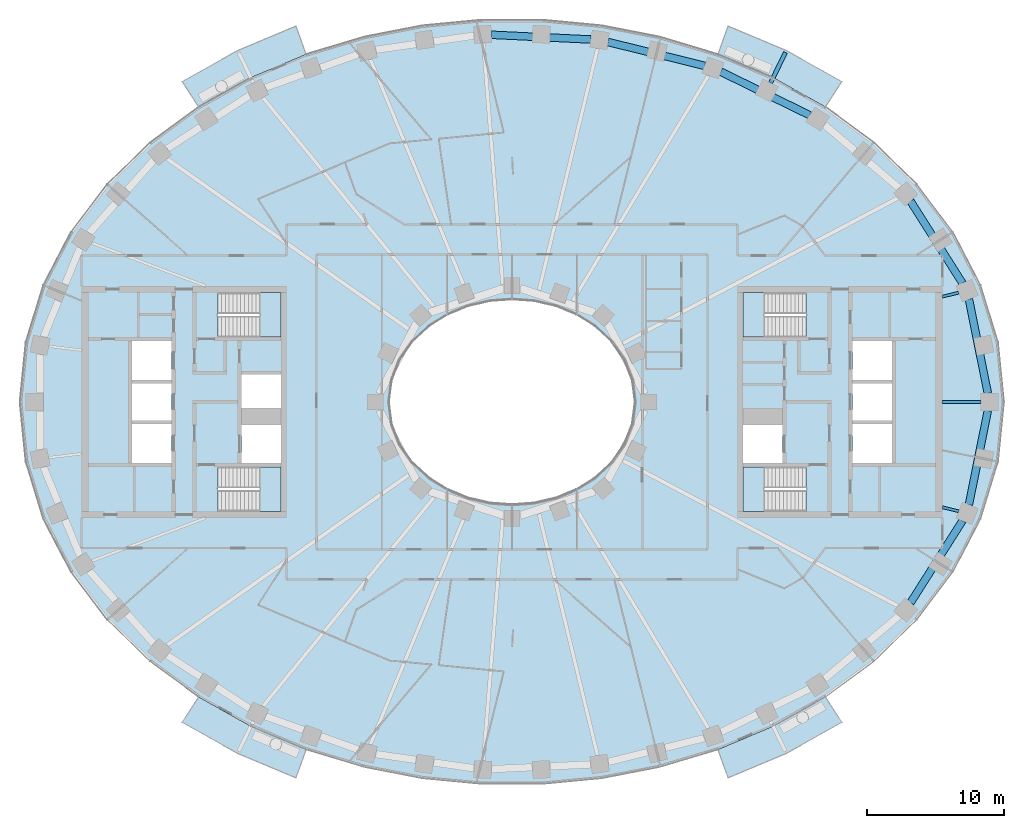
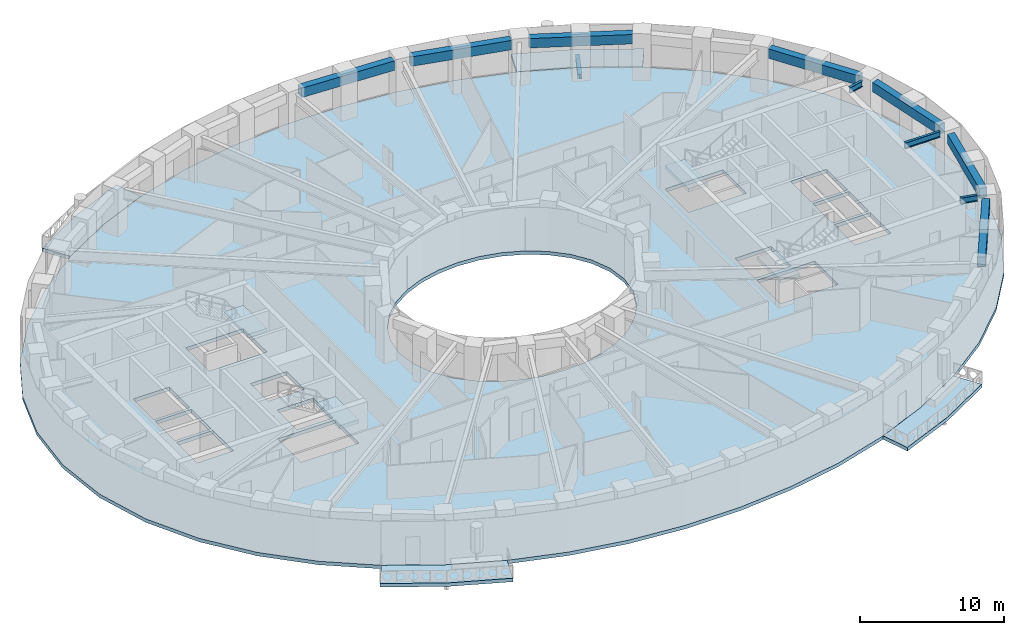
# One storey, part 2 of 15: 11 beams, 9 slabs, 4 elements without a shape of their own.
"""IFC4 building model written with IfcOpenShell, lengths in metres."""

from ifc_helpers import new_model, si_unit, direction, frame, origin, origin_2d, place, context, subcontext, project, spatial, polyline, rectangle, i_section, outline, extrude, material, layer, layer_set, material_profile, profile_set, type_object, element, aggregate, save


model = new_model("IFC4")

# Units and contexts
model_context = context("Model", 3, precision=1e-05, world=origin(), true_north=direction((0.0, 1.0)))
body_context = subcontext(model_context, "Body", "Model", "MODEL_VIEW")
ifc_project = project(units=[si_unit("LENGTHUNIT", "METRE"), si_unit("AREAUNIT", "SQUARE_METRE"), si_unit("VOLUMEUNIT", "CUBIC_METRE"), si_unit("PLANEANGLEUNIT", "RADIAN"), si_unit("MASSUNIT", "GRAM", prefix="KILO")], contexts=[model_context])

# Site, building, storey
site_placement = place(None, origin())
site = spatial("IfcSite", under=ifc_project, at=site_placement, CompositionType="ELEMENT")
building_placement = place(site_placement, origin())
building = spatial("IfcBuilding", under=site, at=building_placement, Name="Noorbagh Ring Tower", CompositionType="ELEMENT")
storey_placement = place(building_placement, frame((0.0, 0.0, 92.0)))
storey = spatial("IfcBuildingStorey", under=building, at=storey_placement, Name="L20", CompositionType="ELEMENT", Elevation=92.0)

# Beams
ifc_material_1 = material(Name="Steel S355", Category="steel")
ifc_material_profile_1 = material_profile(ifc_material_1, i_section(OverallWidth=0.300048828125, OverallDepth=0.39990234375, WebThickness=0.013427734375, FlangeThickness=0.02392578125, FilletRadius=0.027099609375, at=origin_2d()), Name="HEB400")
ifc_profile_set_1 = profile_set([ifc_material_profile_1], Name="Steel S355")
beam_type_1 = type_object("IfcBeamType", Name="STR-BALCONY-BRACKET-HEB400", PredefinedType="BEAM", material=ifc_profile_set_1)
beam_1_placement = place(storey_placement, frame((18.923095703125, 23.351318359375, -0.5), z_axis=(0.439226053648, 0.89837657683, 0.0), x_axis=(-0.89837657683, 0.439226053648, 0.0)))
element("IfcBeam", 1, at=beam_1_placement, inside=storey, type_object=beam_type_1, Name="Balcony bracket beam BN02", PredefinedType="BEAM", context=body_context, shape_type="SweptSolid", body=[
    extrude(i_section(OverallWidth=0.300048828125, OverallDepth=0.39990234375, WebThickness=0.013427734375, FlangeThickness=0.02392578125, FilletRadius=0.027099609375, at=origin_2d()), origin(), (0.0, 0.0, 1.0), 2.47509765625),
])
ifc_material_2 = material(Name="Steel S355", Category="steel")
ifc_material_profile_2 = material_profile(ifc_material_2, i_section(OverallWidth=0.199951171875, OverallDepth=0.5, WebThickness=0.01025390625, FlangeThickness=0.01611328125, FilletRadius=0.02099609375, at=origin_2d()), Name="IPE500")
ifc_profile_set_2 = profile_set([ifc_material_profile_2], Name="Steel S355")
beam_type_2 = type_object("IfcBeamType", Name="STR-RAD-IPE500", PredefinedType="BEAM", material=ifc_profile_set_2)
beam_2_placement = place(storey_placement, frame((34.314697265625, 0.0, 3.449951171875), z_axis=(-1.0, 0.0, 0.0), x_axis=(0.0, -1.0, 0.0)))
element("IfcBeam", 2, at=beam_2_placement, inside=storey, type_object=beam_type_2, Name="L20/bm/RD01", PredefinedType="BEAM", context=body_context, shape_type="SweptSolid", body=[
    extrude(i_section(OverallWidth=0.199951171875, OverallDepth=0.5, WebThickness=0.01025390625, FlangeThickness=0.01611328125, FilletRadius=0.02099609375, at=origin_2d()), origin(), (0.0, 0.0, 1.0), 2.834716796875),
])
for number, where, z_axis, x_axis, name in (
    (3, (32.686279296875, 7.997802734375, 3.449951171875), (-0.971367746696, -0.237580935009, 0.0), (0.237580935009, -0.971367746696, 0.0), "L20/bm/RD03"),
    (4, (32.686279296875, -7.997802734375, 3.449951171875), (-0.971367746696, 0.237580935009, 0.0), (-0.237580935009, -0.971367746696, 0.0), "L20/bm/RD45"),
):
    element("IfcBeam", number, at=place(storey_placement, frame(where, z_axis=z_axis, x_axis=x_axis)), inside=storey, type_object=beam_type_2, Name=name, PredefinedType="BEAM", context=body_context, shape_type="SweptSolid", body=[
        extrude(i_section(OverallWidth=0.199951171875, OverallDepth=0.5, WebThickness=0.01025390625, FlangeThickness=0.01611328125, FilletRadius=0.02099609375, at=origin_2d()), origin(), (0.0, 0.0, 1.0), 1.241455078125),
    ])
ifc_material_3 = material(Name="Concrete C40/50", Category="concrete")
ifc_material_profile_3 = material_profile(ifc_material_3, rectangle(XDim=0.550048828125, YDim=0.800048828125, at=origin_2d()), Name="RC550x800")
ifc_profile_set_3 = profile_set([ifc_material_profile_3], Name="Concrete C40/50")
beam_type_3 = type_object("IfcBeamType", Name="STR-SB-RC550x800-C40-50", PredefinedType="BEAM", material=ifc_profile_set_3)
beam_3_placement = place(storey_placement, frame((34.81787109375, 0.63037109375, 3.300048828125), z_axis=(-0.197218334535, 0.980359591437, 0.0), x_axis=(-0.980359591437, -0.197218334535, 0.0)))
element("IfcBeam", 5, at=beam_3_placement, inside=storey, type_object=beam_type_3, Name="L20/bm/SP01", PredefinedType="BEAM", context=body_context, shape_type="SweptSolid", body=[
    extrude(rectangle(XDim=0.550048828125, YDim=0.800048828125, at=origin_2d()), origin(), (0.0, 0.0, 1.0), 7.027587890625),
])
beam_4_placement = place(storey_placement, frame((32.962646484375, 8.690185546875, 3.300048828125), z_axis=(-0.535215588854, 0.844715498525, 0.0), x_axis=(-0.844715498525, -0.535215588854, 0.0)))
element("IfcBeam", 6, at=beam_4_placement, inside=storey, type_object=beam_type_3, Name="L20/bm/SP03", PredefinedType="BEAM", context=body_context, shape_type="SweptSolid", body=[
    extrude(rectangle(XDim=0.550048828125, YDim=0.800048828125, at=origin_2d()), origin(), (0.0, 0.0, 1.0), 7.104248046875),
])
beam_5_placement = place(storey_placement, frame((21.7919921875, 20.978759765625, 3.300048828125), z_axis=(-0.898412117145, 0.43915335336, 0.0), x_axis=(-0.43915335336, -0.898412117145, 0.0)))
element("IfcBeam", 7, at=beam_5_placement, inside=storey, type_object=beam_type_3, Name="L20/bm/SP07", PredefinedType="BEAM", context=body_context, shape_type="SweptSolid", body=[
    extrude(rectangle(XDim=0.550048828125, YDim=0.800048828125, at=origin_2d()), origin(), (0.0, 0.0, 1.0), 7.249267578125),
])
beam_6_placement = place(storey_placement, frame((14.094482421875, 24.5927734375, 3.300048828125), z_axis=(-0.970826778955, 0.239781911877, 0.0), x_axis=(-0.239781911877, -0.970826778955, 0.0)))
element("IfcBeam", 8, at=beam_6_placement, inside=storey, type_object=beam_type_3, Name="L20/bm/SP09", PredefinedType="BEAM", context=body_context, shape_type="SweptSolid", body=[
    extrude(rectangle(XDim=0.550048828125, YDim=0.800048828125, at=origin_2d()), origin(), (0.0, 0.0, 1.0), 7.282958984375),
])
beam_7_placement = place(storey_placement, frame((5.77685546875, 26.52099609375, 3.300048828125), z_axis=(-0.998868894653, 0.047549251258, 0.0), x_axis=(-0.047549251258, -0.998868894653, 0.0)))
element("IfcBeam", 9, at=beam_7_placement, inside=storey, type_object=beam_type_3, Name="L20/bm/SP11", PredefinedType="BEAM", context=body_context, shape_type="SweptSolid", body=[
    extrude(rectangle(XDim=0.550048828125, YDim=0.800048828125, at=origin_2d()), origin(), (0.0, 0.0, 1.0), 7.296142578125),
])
beam_8_placement = place(storey_placement, frame((29.160400390625, -14.691162109375, 3.300048828125), z_axis=(0.535215588854, 0.844715498525, 0.0), x_axis=(-0.844715498525, 0.535215588854, 0.0)))
element("IfcBeam", 10, at=beam_8_placement, inside=storey, type_object=beam_type_3, Name="L20/bm/SP43", PredefinedType="BEAM", context=body_context, shape_type="SweptSolid", body=[
    extrude(rectangle(XDim=0.550048828125, YDim=0.800048828125, at=origin_2d()), origin(), (0.0, 0.0, 1.0), 7.104248046875),
])
beam_9_placement = place(storey_placement, frame((33.431884765625, -7.52001953125, 3.300048828125), z_axis=(0.197218334535, 0.980359591437, 0.0), x_axis=(-0.980359591437, 0.197218334535, 0.0)))
element("IfcBeam", 11, at=beam_9_placement, inside=storey, type_object=beam_type_3, Name="L20/bm/SP45", PredefinedType="BEAM", context=body_context, shape_type="SweptSolid", body=[
    extrude(rectangle(XDim=0.550048828125, YDim=0.800048828125, at=origin_2d()), origin(), (0.0, 0.0, 1.0), 7.027587890625),
])

# Stair, slab
ifc_material_4 = material(Name="Concrete C40/50", Category="concrete")
stair_type = type_object("IfcStairType", Name="CORE-STAIR", PredefinedType="HALF_TURN_STAIR", material=ifc_material_4)
stair_1_placement = place(storey_placement, origin())
stair_1 = element("IfcStair", 12, at=stair_1_placement, inside=storey, type_object=stair_type, Name="L20 Exit stair ST1", PredefinedType="HALF_TURN_STAIR")
ifc_material_5 = material(Name="Concrete C40/50", Category="concrete")
ifc_layer_1 = layer(ifc_material_5, 0.300048828125)
ifc_layer_set_1 = layer_set([ifc_layer_1], Name="Concrete C40/50")
slab_type_1 = type_object("IfcSlabType", Name="CORE-STAIR-LANDING", PredefinedType="LANDING", material=ifc_layer_set_1)
slab_1_placement = place(storey_placement, frame((0.0, 0.0, 1.699951171875)))
slab_1 = element("IfcSlab", 13, at=slab_1_placement, type_object=slab_type_1, Name="ST1 landing 1", PredefinedType="LANDING", context=body_context, shape_type="SweptSolid", body=[
    extrude(outline(polyline([(-18.449951171875, 4.75), (-16.89990234375, 4.75), (-16.89990234375, 8.0), (-18.449951171875, 8.0), (-18.449951171875, 4.75)])), origin(), (0.0, 0.0, 1.0), 0.300048828125),
])
aggregate(stair_1, [slab_1])

stair_2_placement = place(storey_placement, origin())
stair_2 = element("IfcStair", 14, at=stair_2_placement, inside=storey, type_object=stair_type, Name="L20 Exit stair ST2", PredefinedType="HALF_TURN_STAIR")
slab_2_placement = place(storey_placement, frame((0.0, 0.0, 1.699951171875)))
slab_2 = element("IfcSlab", 15, at=slab_2_placement, type_object=slab_type_1, Name="ST2 landing 1", PredefinedType="LANDING", context=body_context, shape_type="SweptSolid", body=[
    extrude(outline(polyline([(-18.449951171875, -8.0), (-16.89990234375, -8.0), (-16.89990234375, -4.75), (-18.449951171875, -4.75), (-18.449951171875, -8.0)])), origin(), (0.0, 0.0, 1.0), 0.300048828125),
])
aggregate(stair_2, [slab_2])

stair_3_placement = place(storey_placement, origin())
stair_3 = element("IfcStair", 16, at=stair_3_placement, inside=storey, type_object=stair_type, Name="L20 Exit stair ST3", PredefinedType="HALF_TURN_STAIR")
slab_3_placement = place(storey_placement, frame((0.0, 0.0, 1.699951171875)))
slab_3 = element("IfcSlab", 17, at=slab_3_placement, type_object=slab_type_1, Name="ST3 landing 1", PredefinedType="LANDING", context=body_context, shape_type="SweptSolid", body=[
    extrude(outline(polyline([(18.449951171875, 8.0), (16.89990234375, 8.0), (16.89990234375, 4.75), (18.449951171875, 4.75), (18.449951171875, 8.0)])), origin(), (0.0, 0.0, 1.0), 0.300048828125),
])
aggregate(stair_3, [slab_3])

stair_4_placement = place(storey_placement, origin())
stair_4 = element("IfcStair", 18, at=stair_4_placement, inside=storey, type_object=stair_type, Name="L20 Exit stair ST4", PredefinedType="HALF_TURN_STAIR")
slab_4_placement = place(storey_placement, frame((0.0, 0.0, 1.699951171875)))
slab_4 = element("IfcSlab", 19, at=slab_4_placement, type_object=slab_type_1, Name="ST4 landing 1", PredefinedType="LANDING", context=body_context, shape_type="SweptSolid", body=[
    extrude(outline(polyline([(18.449951171875, -4.75), (16.89990234375, -4.75), (16.89990234375, -8.0), (18.449951171875, -8.0), (18.449951171875, -4.75)])), origin(), (0.0, 0.0, 1.0), 0.300048828125),
])
aggregate(stair_4, [slab_4])

# Slabs
ifc_material_6 = material(Name="Concrete C40/50", Category="concrete")
ifc_layer_2 = layer(ifc_material_6, 0.300048828125)
ifc_layer_set_2 = layer_set([ifc_layer_2], Name="Concrete C40/50")
slab_type_2 = type_object("IfcSlabType", Name="ENV-BALCONY DECK 300", PredefinedType="FLOOR", material=ifc_layer_set_2)
slab_5_placement = place(storey_placement, frame((0.0, 0.0, -0.300048828125)))
element("IfcSlab", 20, at=slab_5_placement, inside=storey, type_object=slab_type_2, Name="Tree balcony deck BN02", PredefinedType="FLOOR", context=body_context, shape_type="SweptSolid", body=[
    extrude(outline(polyline([(24.1279296875, 23.435791015625), (20.076171875, 25.709716796875), (15.810791015625, 27.50341796875), (15.0654296875, 25.430419921875), (19.108154296875, 23.730224609375), (22.9326171875, 21.583740234375), (24.1279296875, 23.435791015625)])), origin(), (0.0, 0.0, 1.0), 0.300048828125),
])
slab_6_placement = place(storey_placement, frame((0.0, 0.0, -0.300048828125)))
element("IfcSlab", 21, at=slab_6_placement, inside=storey, type_object=slab_type_2, Name="Tree balcony deck BN05", PredefinedType="FLOOR", context=body_context, shape_type="SweptSolid", body=[
    extrude(outline(polyline([(-15.810791015625, 27.50341796875), (-20.076171875, 25.709716796875), (-24.1279296875, 23.435791015625), (-22.9326171875, 21.583740234375), (-19.108154296875, 23.730224609375), (-15.0654296875, 25.430419921875), (-15.810791015625, 27.50341796875)])), origin(), (0.0, 0.0, 1.0), 0.300048828125),
])
slab_7_placement = place(storey_placement, frame((0.0, 0.0, -0.300048828125)))
element("IfcSlab", 22, at=slab_7_placement, inside=storey, type_object=slab_type_2, Name="Tree balcony deck BS02", PredefinedType="FLOOR", context=body_context, shape_type="SweptSolid", body=[
    extrude(outline(polyline([(-24.1279296875, -23.435791015625), (-20.076171875, -25.709716796875), (-15.810791015625, -27.50341796875), (-15.0654296875, -25.430419921875), (-19.108154296875, -23.730224609375), (-22.9326171875, -21.583740234375), (-24.1279296875, -23.435791015625)])), origin(), (0.0, 0.0, 1.0), 0.300048828125),
])
slab_8_placement = place(storey_placement, frame((0.0, 0.0, -0.300048828125)))
element("IfcSlab", 23, at=slab_8_placement, inside=storey, type_object=slab_type_2, Name="Tree balcony deck BS05", PredefinedType="FLOOR", context=body_context, shape_type="SweptSolid", body=[
    extrude(outline(polyline([(15.810791015625, -27.50341796875), (20.076171875, -25.709716796875), (24.1279296875, -23.435791015625), (22.9326171875, -21.583740234375), (19.108154296875, -23.730224609375), (15.0654296875, -25.430419921875), (15.810791015625, -27.50341796875)])), origin(), (0.0, 0.0, 1.0), 0.300048828125),
])
ifc_material_7 = material(Name="Concrete C40/50", Category="concrete")
ifc_layer_3 = layer(ifc_material_7, 0.300048828125)
ifc_layer_set_3 = layer_set([ifc_layer_3], Name="Concrete C40/50")
slab_type_3 = type_object("IfcSlabType", Name="STR-FLOOR-DECK-300", PredefinedType="FLOOR", material=ifc_layer_set_3)
slab_9_placement = place(storey_placement, frame((0.0, 0.0, -0.300048828125)))
element("IfcSlab", 24, at=slab_9_placement, inside=storey, type_object=slab_type_3, Name="L20/slab/1", PredefinedType="FLOOR", context=body_context, shape_type="SweptSolid", body=[
    extrude(outline(polyline([(36.0, 0.0), (35.56103515625, 4.358642578125), (34.281005859375, 8.548828125), (32.255126953125, 12.434814453125), (29.607666015625, 15.92822265625), (26.463134765625, 18.983154296875), (22.9326171875, 21.583740234375), (19.108154296875, 23.730224609375), (15.0654296875, 25.430419921875), (10.865234375, 26.6943359375), (6.5595703125, 27.53125), (2.193115234375, 27.947998046875), (-2.193115234375, 27.947998046875), (-6.5595703125, 27.53125), (-10.865234375, 26.6943359375), (-15.0654296875, 25.430419921875), (-19.108154296875, 23.730224609375), (-22.9326171875, 21.583740234375), (-26.463134765625, 18.983154296875), (-29.607666015625, 15.92822265625), (-32.255126953125, 12.434814453125), (-34.281005859375, 8.548828125), (-35.56103515625, 4.358642578125), (-36.0, 0.0), (-35.56103515625, -4.358642578125), (-34.281005859375, -8.548828125), (-32.255126953125, -12.434814453125), (-29.607666015625, -15.92822265625), (-26.463134765625, -18.983154296875), (-22.9326171875, -21.583740234375), (-19.108154296875, -23.730224609375), (-15.0654296875, -25.430419921875), (-10.865234375, -26.6943359375), (-6.5595703125, -27.53125), (-2.193115234375, -27.947998046875), (2.193115234375, -27.947998046875), (6.5595703125, -27.53125), (10.865234375, -26.6943359375), (15.0654296875, -25.430419921875), (19.108154296875, -23.730224609375), (22.9326171875, -21.583740234375), (26.463134765625, -18.983154296875), (29.607666015625, -15.92822265625), (32.255126953125, -12.434814453125), (34.281005859375, -8.548828125), (35.56103515625, -4.358642578125), (36.0, 0.0)]), holes=[polyline([(24.89990234375, -1.60009765625), (27.800048828125, -1.60009765625), (27.800048828125, -4.449951171875), (24.89990234375, -4.449951171875), (24.89990234375, -1.60009765625)]), polyline([(24.89990234375, 1.35009765625), (27.800048828125, 1.35009765625), (27.800048828125, -1.35009765625), (24.89990234375, -1.35009765625), (24.89990234375, 1.35009765625)]), polyline([(24.89990234375, 4.449951171875), (27.800048828125, 4.449951171875), (27.800048828125, 1.60009765625), (24.89990234375, 1.60009765625), (24.89990234375, 4.449951171875)]), polyline([(21.529541015625, -4.75), (21.529541015625, -8.0), (16.89990234375, -8.0), (16.89990234375, -4.75), (21.529541015625, -4.75)]), polyline([(21.529541015625, 4.75), (16.89990234375, 4.75), (16.89990234375, 8.0), (21.529541015625, 8.0), (21.529541015625, 4.75)]), polyline([(16.89990234375, -1.699951171875), (19.800048828125, -1.699951171875), (19.800048828125, -4.449951171875), (16.89990234375, -4.449951171875), (16.89990234375, -1.699951171875)]), polyline([(4.697509765625, -6.3974609375), (3.196533203125, -7.010986328125), (1.6171875, -7.3779296875), (0.0, -7.5), (-1.6171875, -7.3779296875), (-3.196533203125, -7.010986328125), (-4.697509765625, -6.3974609375), (-6.071044921875, -5.53662109375), (-7.2587890625, -4.43408203125), (-8.1904296875, -3.10888671875), (-8.79150390625, -1.605224609375), (-9.0, 0.0), (-8.79150390625, 1.605224609375), (-8.1904296875, 3.10888671875), (-7.2587890625, 4.43408203125), (-6.071044921875, 5.53662109375), (-4.697509765625, 6.3974609375), (-3.196533203125, 7.010986328125), (-1.6171875, 7.3779296875), (0.0, 7.5), (1.6171875, 7.3779296875), (3.196533203125, 7.010986328125), (4.697509765625, 6.3974609375), (6.071044921875, 5.53662109375), (7.2587890625, 4.43408203125), (8.1904296875, 3.10888671875), (8.79150390625, 1.605224609375), (9.0, 0.0), (8.79150390625, -1.605224609375), (8.1904296875, -3.10888671875), (7.2587890625, -4.43408203125), (6.071044921875, -5.53662109375), (4.697509765625, -6.3974609375)]), polyline([(-21.529541015625, -8.0), (-21.529541015625, -4.75), (-16.89990234375, -4.75), (-16.89990234375, -8.0), (-21.529541015625, -8.0)]), polyline([(-21.529541015625, 8.0), (-16.89990234375, 8.0), (-16.89990234375, 4.75), (-21.529541015625, 4.75), (-21.529541015625, 8.0)]), polyline([(-16.89990234375, -4.449951171875), (-19.800048828125, -4.449951171875), (-19.800048828125, -1.699951171875), (-16.89990234375, -1.699951171875), (-16.89990234375, -4.449951171875)]), polyline([(-16.89990234375, -0.449951171875), (-19.800048828125, -0.449951171875), (-19.800048828125, 2.0), (-16.89990234375, 2.0), (-16.89990234375, -0.449951171875)]), polyline([(-24.89990234375, -4.449951171875), (-27.800048828125, -4.449951171875), (-27.800048828125, -1.60009765625), (-24.89990234375, -1.60009765625), (-24.89990234375, -4.449951171875)]), polyline([(-24.89990234375, -1.35009765625), (-27.800048828125, -1.35009765625), (-27.800048828125, 1.35009765625), (-24.89990234375, 1.35009765625), (-24.89990234375, -1.35009765625)]), polyline([(-24.89990234375, 1.60009765625), (-27.800048828125, 1.60009765625), (-27.800048828125, 4.449951171875), (-24.89990234375, 4.449951171875), (-24.89990234375, 1.60009765625)])]), origin(), (0.0, 0.0, 1.0), 0.300048828125),
])

save(model, "model.ifc")
